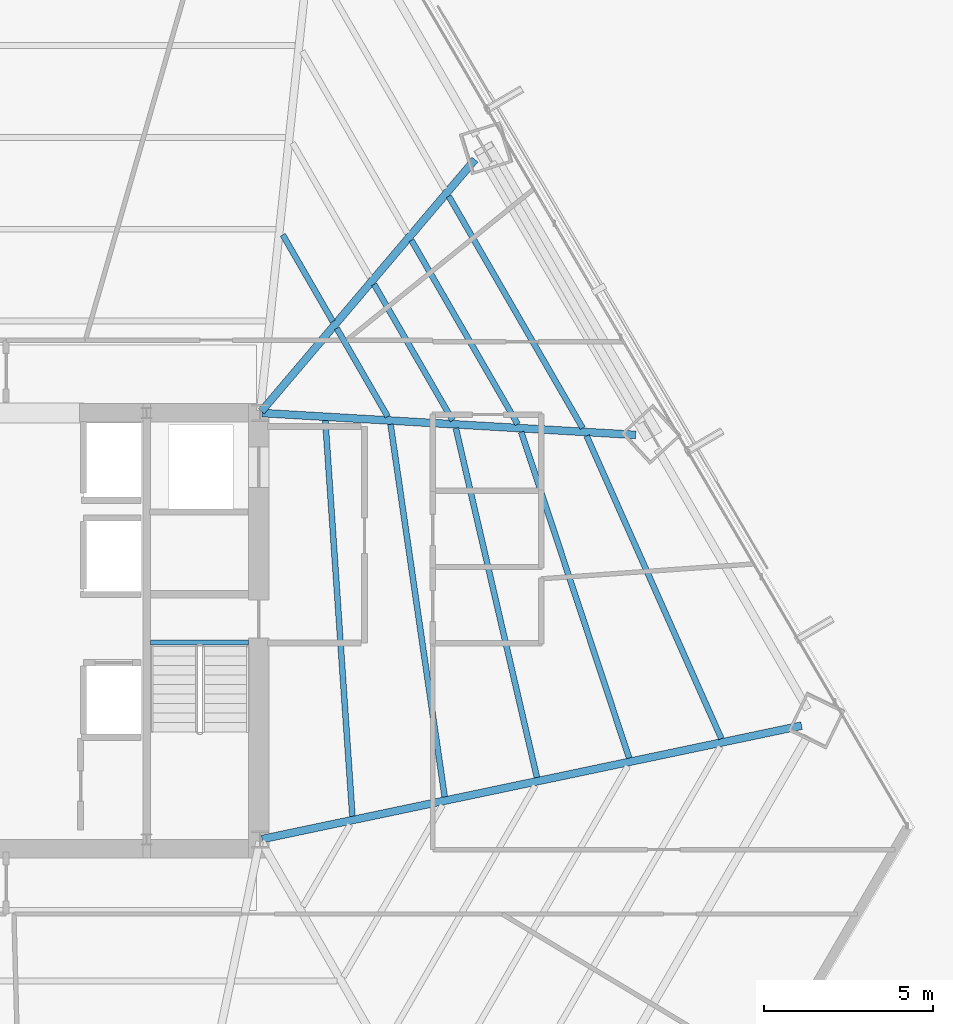
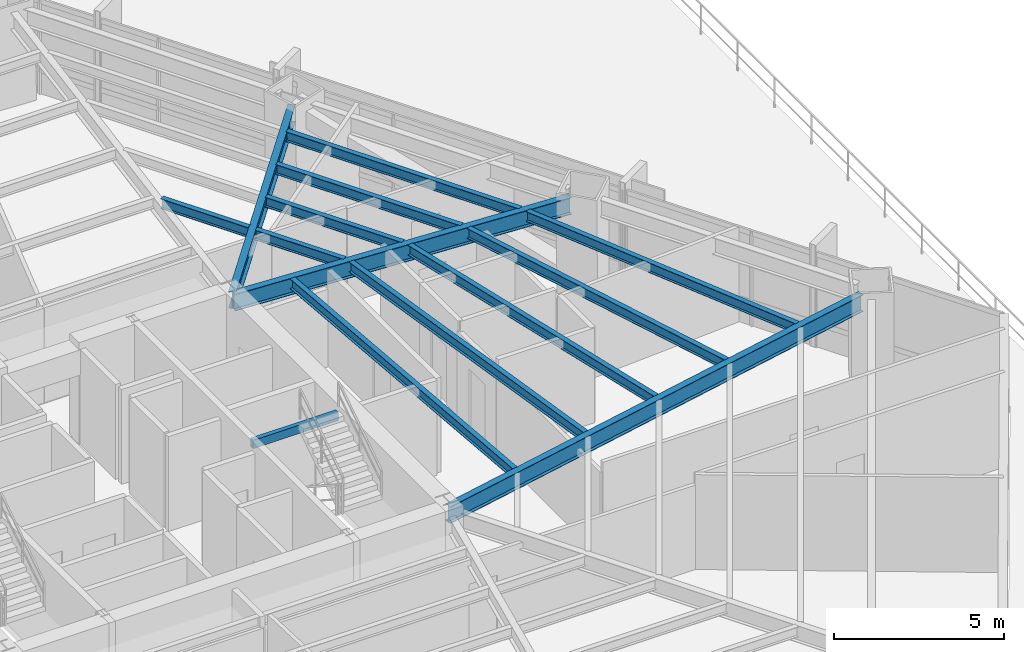
# One storey, part 16 of 35: 14 beams.
"""IFC4 building model written with IfcOpenShell, lengths in metres."""

from ifc_helpers import new_model, si_unit, direction, frame, origin, origin_2d, place, context, subcontext, project, spatial, hollow_rectangle, i_section, extrude, source, transform, mapped, material, material_profile, profile_set, type_object, type_shapes, element, save


model = new_model("IFC4")

# Units and contexts
model_context = context("Model", 3, precision=1e-05, world=origin(), true_north=direction((0.0, 1.0)))
body_context = subcontext(model_context, "Body", "Model", "MODEL_VIEW")
ifc_project = project(units=[si_unit("LENGTHUNIT", "METRE"), si_unit("AREAUNIT", "SQUARE_METRE"), si_unit("VOLUMEUNIT", "CUBIC_METRE"), si_unit("PLANEANGLEUNIT", "RADIAN"), si_unit("MASSUNIT", "GRAM", prefix="KILO")], contexts=[model_context])

# Site, building, storey
site_placement = place(None, origin())
site = spatial("IfcSite", under=ifc_project, at=site_placement, CompositionType="ELEMENT")
building_placement = place(site_placement, origin())
building = spatial("IfcBuilding", under=site, at=building_placement, Name="Caelisora Broadcast Tower", CompositionType="ELEMENT")
storey_placement = place(building_placement, frame((0.0, 0.0, 27.60009765625)))
storey = spatial("IfcBuildingStorey", under=building, at=storey_placement, Name="L06", CompositionType="ELEMENT", Elevation=27.60009765625)

# Beams
ifc_material_1 = material(Name="Steel Grade 350 (AS/NZS 1163 C350L0)", Category="steel")
ifc_material_profile_1 = material_profile(ifc_material_1, hollow_rectangle(XDim=0.14990234375, YDim=0.300048828125, WallThickness=0.010009765625, at=origin_2d()), Name="Steel Grade 350 (AS/NZS 1163 C350L0)")
ifc_profile_set_1 = profile_set([ifc_material_profile_1], Name="Steel Grade 350 (AS/NZS 1163 C350L0)")
beam_type_1 = type_object("IfcBeamType", Name="SB05", PredefinedType="JOIST", material=ifc_profile_set_1)
shared_shape_1 = source(origin(), body_context, "Body", "SweptSolid", [
    extrude(hollow_rectangle(XDim=0.14990234375, YDim=0.300048828125, WallThickness=0.010009765625, at=origin_2d()), origin(), (0.0, 0.0, 1.0), 2.89990234375),
])
type_shapes(beam_type_1, [shared_shape_1])
beam_1_placement = place(storey_placement, frame((42.260009765625, 23.219970703125, 3.25), z_axis=(1.0, 0.0, 0.0), x_axis=(0.0, 1.0, 0.0)))
element("IfcBeam", 1, at=beam_1_placement, inside=storey, type_object=beam_type_1, Name="L06 beam SB05", PredefinedType="JOIST", context=body_context, shape_type="MappedRepresentation", body=[
    mapped(shared_shape_1, transform((0.0, 0.0, 0.0), scale=1.0)),
])
ifc_material_2 = material(Name="Steel Grade 350 (AS/NZS 3679.1)", Category="steel")
ifc_material_profile_2 = material_profile(ifc_material_2, i_section(OverallWidth=0.22802734375, OverallDepth=0.602294921875, WebThickness=0.010498046875, FlangeThickness=0.014892578125, at=origin_2d()), Name="Steel Grade 350 (AS/NZS 3679.1)")
ifc_profile_set_2 = profile_set([ifc_material_profile_2], Name="Steel Grade 350 (AS/NZS 3679.1)")
beam_type_2 = type_object("IfcBeamType", Name="PG04", PredefinedType="BEAM", material=ifc_profile_set_2)
shared_shape_2 = source(origin(), body_context, "Body", "SweptSolid", [
    extrude(i_section(OverallWidth=0.22802734375, OverallDepth=0.602294921875, WebThickness=0.010498046875, FlangeThickness=0.014892578125, at=origin_2d()), origin(), (0.0, 0.0, 1.0), 9.750732421875),
])
beam_2_placement = place(storey_placement, frame((45.538818359375, 30.0458984375, 3.098876953125), z_axis=(0.64688568597, 0.762586984735, 0.0), x_axis=(-0.762586984735, 0.64688568597, 0.0)))
element("IfcBeam", 2, at=beam_2_placement, inside=storey, type_object=beam_type_2, Name="L06 beam PG04", PredefinedType="BEAM", context=body_context, shape_type="MappedRepresentation", body=[
    mapped(shared_shape_2, transform((0.0, 0.0, 0.0), scale=1.0)),
])
shared_shape_3 = source(origin(), body_context, "Body", "SweptSolid", [
    extrude(i_section(OverallWidth=0.22802734375, OverallDepth=0.602294921875, WebThickness=0.010498046875, FlangeThickness=0.014892578125, at=origin_2d()), origin(), (0.0, 0.0, 1.0), 11.0517578125),
])
beam_3_placement = place(storey_placement, frame((45.559814453125, 29.99658203125, 3.098876953125), z_axis=(0.998288967606, -0.058473388446, 0.0), x_axis=(0.058473388446, 0.998288967606, 0.0)))
element("IfcBeam", 3, at=beam_3_placement, inside=storey, type_object=beam_type_2, Name="L06 beam PG04", PredefinedType="BEAM", context=body_context, shape_type="MappedRepresentation", body=[
    mapped(shared_shape_3, transform((0.0, 0.0, 0.0), scale=1.0)),
])
shared_shape_4 = source(origin(), body_context, "Body", "SweptSolid", [
    extrude(i_section(OverallWidth=0.22802734375, OverallDepth=0.602294921875, WebThickness=0.010498046875, FlangeThickness=0.014892578125, at=origin_2d()), origin(), (0.0, 0.0, 1.0), 16.28466796875),
])
type_shapes(beam_type_2, [shared_shape_2, shared_shape_3, shared_shape_4])
beam_4_placement = place(storey_placement, frame((45.55859375, 17.412353515625, 3.098876953125), z_axis=(0.978604469373, 0.205750558984, 0.0), x_axis=(-0.205750558984, 0.978604469373, 0.0)))
element("IfcBeam", 4, at=beam_4_placement, inside=storey, type_object=beam_type_2, Name="L06 beam PG04", PredefinedType="BEAM", context=body_context, shape_type="MappedRepresentation", body=[
    mapped(shared_shape_4, transform((0.0, 0.0, 0.0), scale=1.0)),
])
ifc_material_profile_3 = material_profile(ifc_material_2, i_section(OverallWidth=0.172119140625, OverallDepth=0.358642578125, WebThickness=0.008056640625, FlangeThickness=0.012939453125, at=origin_2d()), Name="Steel Grade 350 (AS/NZS 3679.1)")
ifc_profile_set_3 = profile_set([ifc_material_profile_3], Name="Steel Grade 350 (AS/NZS 3679.1)")
beam_type_3 = type_object("IfcBeamType", Name="SB02", PredefinedType="JOIST", material=ifc_profile_set_3)
shared_shape_5 = source(origin(), body_context, "Body", "SweptSolid", [
    extrude(i_section(OverallWidth=0.172119140625, OverallDepth=0.358642578125, WebThickness=0.008056640625, FlangeThickness=0.012939453125, at=origin_2d()), origin(), (0.0, 0.0, 1.0), 2.953857421875),
])
beam_5_placement = place(storey_placement, frame((47.64697265625, 32.702880859375, 3.220703125), z_axis=(-0.499970484968, 0.866042443626, 0.0), x_axis=(-0.866042443626, -0.499970484968, 0.0)))
element("IfcBeam", 5, at=beam_5_placement, inside=storey, type_object=beam_type_3, Name="L06 beam SB02", PredefinedType="JOIST", context=body_context, shape_type="MappedRepresentation", body=[
    mapped(shared_shape_5, transform((0.0, 0.0, 0.0), scale=1.0)),
])
shared_shape_6 = source(origin(), body_context, "Body", "SweptSolid", [
    extrude(i_section(OverallWidth=0.172119140625, OverallDepth=0.358642578125, WebThickness=0.008056640625, FlangeThickness=0.012939453125, at=origin_2d()), origin(), (0.0, 0.0, 1.0), 3.0107421875),
])
beam_6_placement = place(storey_placement, frame((49.2705078125, 29.890869140625, 3.220703125), z_axis=(-0.499993865112, 0.866028945735, 0.0), x_axis=(-0.866028945735, -0.499993865112, 0.0)))
element("IfcBeam", 6, at=beam_6_placement, inside=storey, type_object=beam_type_3, Name="L06 beam SB02", PredefinedType="JOIST", context=body_context, shape_type="MappedRepresentation", body=[
    mapped(shared_shape_6, transform((0.0, 0.0, 0.0), scale=1.0)),
])
shared_shape_7 = source(origin(), body_context, "Body", "SweptSolid", [
    extrude(i_section(OverallWidth=0.172119140625, OverallDepth=0.358642578125, WebThickness=0.008056640625, FlangeThickness=0.012939453125, at=origin_2d()), origin(), (0.0, 0.0, 1.0), 4.641845703125),
])
beam_7_placement = place(storey_placement, frame((51.189208984375, 29.778564453125, 3.220703125), z_axis=(-0.500013824377, 0.86601742213, 0.0), x_axis=(-0.86601742213, -0.500013824377, 0.0)))
element("IfcBeam", 7, at=beam_7_placement, inside=storey, type_object=beam_type_3, Name="L06 beam SB02", PredefinedType="JOIST", context=body_context, shape_type="MappedRepresentation", body=[
    mapped(shared_shape_7, transform((0.0, 0.0, 0.0), scale=1.0)),
])
shared_shape_8 = source(origin(), body_context, "Body", "SweptSolid", [
    extrude(i_section(OverallWidth=0.172119140625, OverallDepth=0.358642578125, WebThickness=0.008056640625, FlangeThickness=0.012939453125, at=origin_2d()), origin(), (0.0, 0.0, 1.0), 6.273681640625),
])
beam_8_placement = place(storey_placement, frame((53.10791015625, 29.666015625, 3.220703125), z_axis=(-0.499989700211, 0.866031350288, 0.0), x_axis=(-0.866031350288, -0.499989700211, 0.0)))
element("IfcBeam", 8, at=beam_8_placement, inside=storey, type_object=beam_type_3, Name="L06 beam SB02", PredefinedType="JOIST", context=body_context, shape_type="MappedRepresentation", body=[
    mapped(shared_shape_8, transform((0.0, 0.0, 0.0), scale=1.0)),
])
shared_shape_9 = source(origin(), body_context, "Body", "SweptSolid", [
    extrude(i_section(OverallWidth=0.172119140625, OverallDepth=0.358642578125, WebThickness=0.008056640625, FlangeThickness=0.012939453125, at=origin_2d()), origin(), (0.0, 0.0, 1.0), 7.90478515625),
])
beam_9_placement = place(storey_placement, frame((55.026611328125, 29.5537109375, 3.220703125), z_axis=(-0.500002280537, 0.866024087112, 0.0), x_axis=(-0.866024087112, -0.500002280537, 0.0)))
element("IfcBeam", 9, at=beam_9_placement, inside=storey, type_object=beam_type_3, Name="L06 beam SB02", PredefinedType="JOIST", context=body_context, shape_type="MappedRepresentation", body=[
    mapped(shared_shape_9, transform((0.0, 0.0, 0.0), scale=1.0)),
])
shared_shape_10 = source(origin(), body_context, "Body", "SweptSolid", [
    extrude(i_section(OverallWidth=0.172119140625, OverallDepth=0.358642578125, WebThickness=0.008056640625, FlangeThickness=0.012939453125, at=origin_2d()), origin(), (0.0, 0.0, 1.0), 11.716552734375),
])
beam_10_placement = place(storey_placement, frame((48.2265625, 18.086669921875, 3.220703125), z_axis=(-0.06830435744, 0.997664530168, 0.0), x_axis=(-0.997664530168, -0.06830435744, 0.0)))
element("IfcBeam", 10, at=beam_10_placement, inside=storey, type_object=beam_type_3, Name="L06 beam SB02", PredefinedType="JOIST", context=body_context, shape_type="MappedRepresentation", body=[
    mapped(shared_shape_10, transform((0.0, 0.0, 0.0), scale=1.0)),
])
shared_shape_11 = source(origin(), body_context, "Body", "SweptSolid", [
    extrude(i_section(OverallWidth=0.172119140625, OverallDepth=0.358642578125, WebThickness=0.008056640625, FlangeThickness=0.012939453125, at=origin_2d()), origin(), (0.0, 0.0, 1.0), 11.11865234375),
])
beam_11_placement = place(storey_placement, frame((50.95263671875, 18.659912109375, 3.220703125), z_axis=(-0.143821775911, 0.989603605882, 0.0), x_axis=(-0.989603605882, -0.143821775911, 0.0)))
element("IfcBeam", 11, at=beam_11_placement, inside=storey, type_object=beam_type_3, Name="L06 beam SB02", PredefinedType="JOIST", context=body_context, shape_type="MappedRepresentation", body=[
    mapped(shared_shape_11, transform((0.0, 0.0, 0.0), scale=1.0)),
])
shared_shape_12 = source(origin(), body_context, "Body", "SweptSolid", [
    extrude(i_section(OverallWidth=0.172119140625, OverallDepth=0.358642578125, WebThickness=0.008056640625, FlangeThickness=0.012939453125, at=origin_2d()), origin(), (0.0, 0.0, 1.0), 10.591552734375),
])
beam_12_placement = place(storey_placement, frame((53.677734375, 19.23291015625, 3.220703125), z_axis=(-0.22617071652, 0.974087679313, 0.0), x_axis=(-0.974087679313, -0.22617071652, 0.0)))
element("IfcBeam", 12, at=beam_12_placement, inside=storey, type_object=beam_type_3, Name="L06 beam SB02", PredefinedType="JOIST", context=body_context, shape_type="MappedRepresentation", body=[
    mapped(shared_shape_12, transform((0.0, 0.0, 0.0), scale=1.0)),
])
shared_shape_13 = source(origin(), body_context, "Body", "SweptSolid", [
    extrude(i_section(OverallWidth=0.172119140625, OverallDepth=0.358642578125, WebThickness=0.008056640625, FlangeThickness=0.012939453125, at=origin_2d()), origin(), (0.0, 0.0, 1.0), 10.1455078125),
])
beam_13_placement = place(storey_placement, frame((56.402099609375, 19.8056640625, 3.220703125), z_axis=(-0.314393513951, 0.94929274641, 0.0), x_axis=(-0.94929274641, -0.314393513951, 0.0)))
element("IfcBeam", 13, at=beam_13_placement, inside=storey, type_object=beam_type_3, Name="L06 beam SB02", PredefinedType="JOIST", context=body_context, shape_type="MappedRepresentation", body=[
    mapped(shared_shape_13, transform((0.0, 0.0, 0.0), scale=1.0)),
])
shared_shape_14 = source(origin(), body_context, "Body", "SweptSolid", [
    extrude(i_section(OverallWidth=0.172119140625, OverallDepth=0.358642578125, WebThickness=0.008056640625, FlangeThickness=0.012939453125, at=origin_2d()), origin(), (0.0, 0.0, 1.0), 9.791259765625),
])
type_shapes(beam_type_3, [shared_shape_5, shared_shape_6, shared_shape_7, shared_shape_8, shared_shape_9, shared_shape_10, shared_shape_11, shared_shape_12, shared_shape_13, shared_shape_14])
beam_14_placement = place(storey_placement, frame((59.125244140625, 20.378173828125, 3.220703125), z_axis=(-0.406587243902, 0.913611959804, 0.0), x_axis=(-0.913611959804, -0.406587243902, 0.0)))
element("IfcBeam", 14, at=beam_14_placement, inside=storey, type_object=beam_type_3, Name="L06 beam SB02", PredefinedType="JOIST", context=body_context, shape_type="MappedRepresentation", body=[
    mapped(shared_shape_14, transform((0.0, 0.0, 0.0), scale=1.0)),
])

save(model, "model.ifc")
